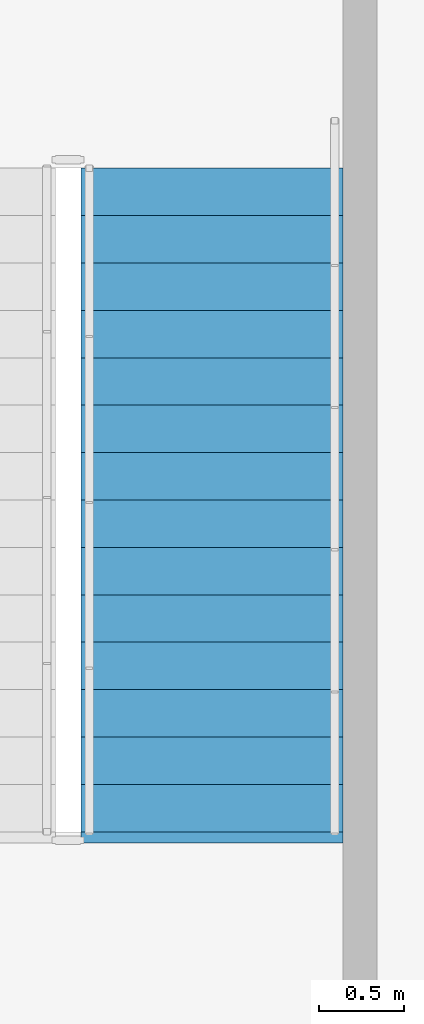
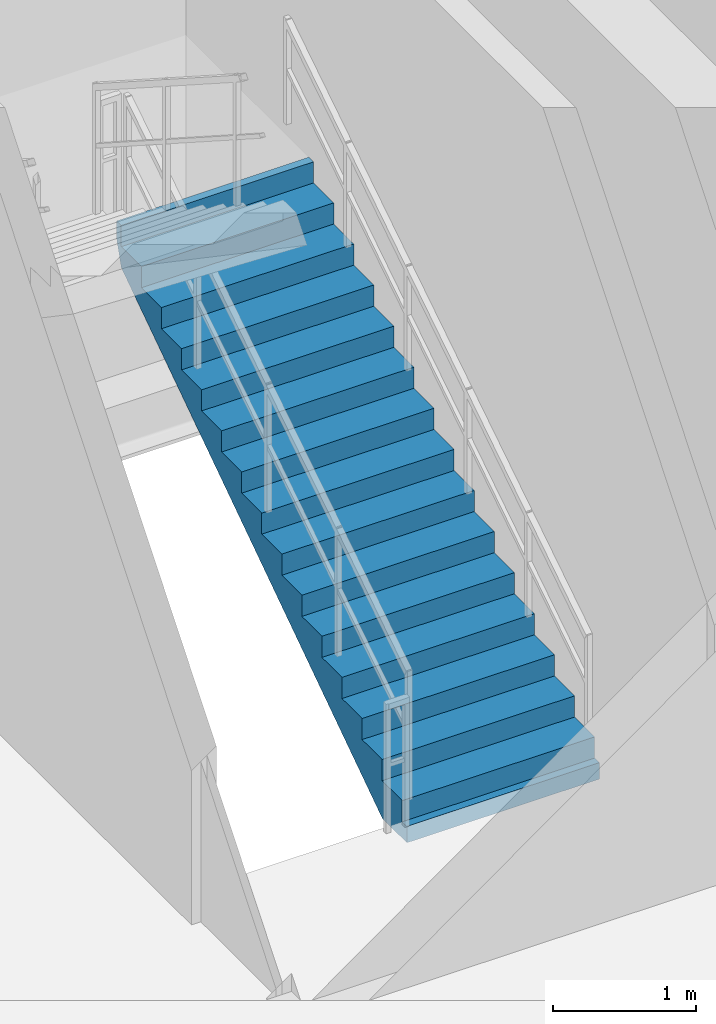
# One storey, part 11 of 15: 1 stair flight, 1 element without a shape of its own.
"""IFC4 building model written with IfcOpenShell, lengths in metres."""

from ifc_helpers import new_model, si_unit, direction, frame, origin, place, context, subcontext, project, spatial, polyline, outline, extrude, material, type_object, element, aggregate, save


model = new_model("IFC4")

# Units and contexts
model_context = context("Model", 3, precision=1e-05, world=origin(), true_north=direction((0.0, 1.0)))
body_context = subcontext(model_context, "Body", "Model", "MODEL_VIEW")
ifc_project = project(units=[si_unit("LENGTHUNIT", "METRE"), si_unit("AREAUNIT", "SQUARE_METRE"), si_unit("VOLUMEUNIT", "CUBIC_METRE"), si_unit("PLANEANGLEUNIT", "RADIAN"), si_unit("MASSUNIT", "GRAM", prefix="KILO")], contexts=[model_context])

# Site, building, storey
site_placement = place(None, origin())
site = spatial("IfcSite", under=ifc_project, at=site_placement, CompositionType="ELEMENT")
building_placement = place(site_placement, origin())
building = spatial("IfcBuilding", under=site, at=building_placement, Name="Zahravan Cultural Tower", CompositionType="ELEMENT")
storey_placement = place(building_placement, frame((0.0, 0.0, 7.199951171875)))
storey = spatial("IfcBuildingStorey", under=building, at=storey_placement, Name="L01", CompositionType="ELEMENT", Elevation=7.199951171875)

# Stair, stair flight
ifc_material = material(Name="Concrete C45/55", Category="concrete")
stair_type = type_object("IfcStairType", Name="STR-DL-1550-540", PredefinedType="HALF_TURN_STAIR", material=ifc_material)
stair_placement = place(storey_placement, origin())
stair = element("IfcStair", 1, at=stair_placement, inside=storey, type_object=stair_type, Name="L01 East Core North Exit Stair ST-E1", PredefinedType="HALF_TURN_STAIR")
stair_flight_type = type_object("IfcStairFlightType", Name="FLG-DL-1550-540", PredefinedType="STRAIGHT", material=ifc_material)
stair_flight_placement = place(storey_placement, frame((48.675048828125, 29.949951171875, 0.0), z_axis=(0.0, 0.0, 1.0), x_axis=(0.0, 1.0, 0.0)))
stair_flight = element("IfcStairFlight", 2, at=stair_flight_placement, type_object=stair_flight_type, Name="ST-E1 flight 1", NumberOfRisers=15, NumberOfTreads=14, PredefinedType="STRAIGHT", RiserHeight=0.18, TreadLength=0.28, context=body_context, shape_type="SweptSolid", body=[
    extrude(outline(polyline([(-0.06494140625, -0.139892578125), (-0.06494140625, 0.0), (0.0, 0.0), (0.0, 0.179931640625), (0.280029296875, 0.179931640625), (0.280029296875, 0.360107421875), (0.56005859375, 0.360107421875), (0.56005859375, 0.5400390625), (0.840087890625, 0.5400390625), (0.840087890625, 0.719970703125), (1.1201171875, 0.719970703125), (1.1201171875, 0.89990234375), (1.39990234375, 0.89990234375), (1.39990234375, 1.080078125), (1.679931640625, 1.080078125), (1.679931640625, 1.260009765625), (1.9599609375, 1.260009765625), (1.9599609375, 1.43994140625), (2.239990234375, 1.43994140625), (2.239990234375, 1.6201171875), (2.52001953125, 1.6201171875), (2.52001953125, 1.800048828125), (2.800048828125, 1.800048828125), (2.800048828125, 1.97998046875), (3.080078125, 1.97998046875), (3.080078125, 2.159912109375), (3.360107421875, 2.159912109375), (3.360107421875, 2.340087890625), (3.639892578125, 2.340087890625), (3.639892578125, 2.52001953125), (3.919921875, 2.52001953125), (3.919921875, 2.699951171875), (3.985107421875, 2.699951171875), (3.985107421875, 2.550048828125), (3.919921875, 2.341796875), (0.277099609375, -0.139892578125), (-0.06494140625, -0.139892578125)])), frame((0.0, 0.77490234375, 0.0), z_axis=(0.0, -1.0, 0.0), x_axis=(1.0, 0.0, 0.0)), (0.0, 0.0, 1.0), 1.550048828125),
])
aggregate(stair, [stair_flight])

save(model, "model.ifc")
